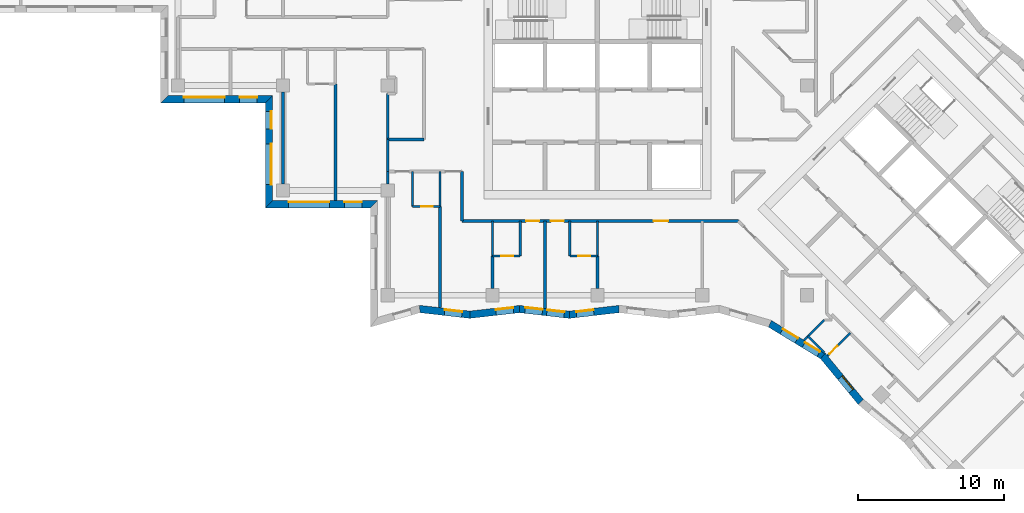
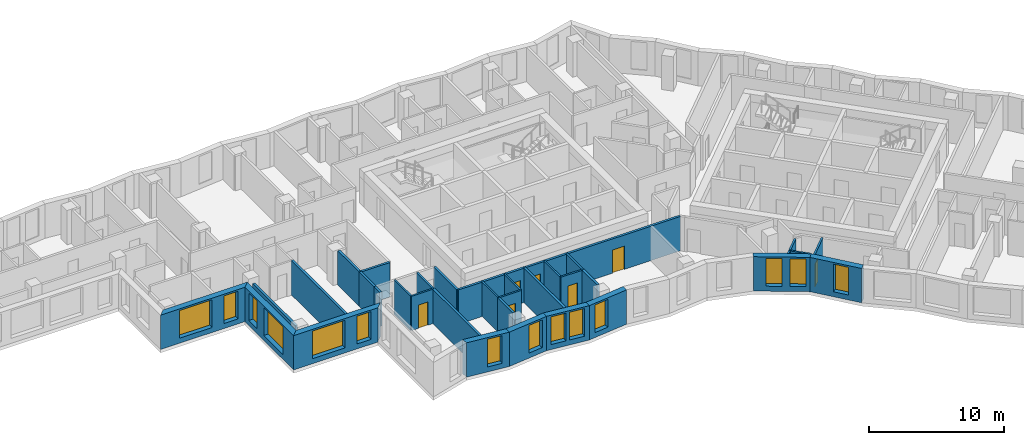
# One storey, part 2 of 12: 33 walls, 14 windows, 7 doors, 21 openings.
"""IFC4 building model written with IfcOpenShell, lengths in metres."""

from ifc_helpers import new_model, si_unit, direction, frame, frame_2d, origin, place, context, subcontext, project, spatial, polyline, rectangle, outline, extrude, material, layer, layer_set, type_object, element, fill, save


model = new_model("IFC4")

# Units and contexts
model_context = context("Model", 3, precision=1e-05, world=origin(), true_north=direction((0.0, 1.0)))
body_context = subcontext(model_context, "Body", "Model", "MODEL_VIEW")
ifc_project = project(units=[si_unit("LENGTHUNIT", "METRE"), si_unit("AREAUNIT", "SQUARE_METRE"), si_unit("VOLUMEUNIT", "CUBIC_METRE"), si_unit("PLANEANGLEUNIT", "RADIAN"), si_unit("MASSUNIT", "GRAM", prefix="KILO")], contexts=[model_context])

# Site, building, storey
site_placement = place(None, origin())
site = spatial("IfcSite", under=ifc_project, at=site_placement, CompositionType="ELEMENT")
building_placement = place(site_placement, origin())
building = spatial("IfcBuilding", under=site, at=building_placement, Name="Windrow Commons", CompositionType="ELEMENT")
storey_placement = place(building_placement, frame((0.0, 0.0, 145.6)))
storey = spatial("IfcBuildingStorey", under=building, at=storey_placement, Name="L39", CompositionType="ELEMENT", Elevation=145.6)

# Wall, openings, windows
ifc_material_1 = material(Name="Brick masonry, red clay brick", Category="masonry")
ifc_layer_1 = layer(ifc_material_1, 0.5)
ifc_layer_set_1 = layer_set([ifc_layer_1], Name="Brick facade wall 500")
wall_type_1 = type_object("IfcWallType", Name="Brick facade wall 500", PredefinedType="SOLIDWALL", material=ifc_layer_set_1)
wall_1_placement = place(storey_placement, frame((35.05, 56.65, 0.0), z_axis=(0.0, 0.0, 1.0), x_axis=(1.0, 0.0, 0.0)))
wall_1 = element("IfcWall", 1, at=wall_1_placement, inside=storey, type_object=wall_type_1, Name="Brick facade wall L39 38", PredefinedType="SOLIDWALL", context=body_context, shape_type="SweptSolid", body=[
    extrude(outline(polyline([(-0.25, -0.25), (6.95, -0.25), (7.45, 0.25), (0.25, 0.25), (-0.25, -0.25)])), origin(), (0.0, 0.0, 1.0), 3.1),
])
opening_1_placement = place(wall_1_placement, frame((1.35, 0.0, 0.45)))
opening_1 = element("IfcOpeningElement", 2, at=opening_1_placement, cuts=wall_1, Name="Opening W1U", PredefinedType="OPENING", context=body_context, shape_type="SweptSolid", body=[
    extrude(rectangle(XDim=2.8, YDim=2.5, at=frame_2d((1.4, 1.25))), frame((0.0, 0.26, 0.0), z_axis=(0.0, -1.0, 0.0), x_axis=(1.0, 0.0, 0.0)), (0.0, 0.0, 1.0), 0.52),
])
opening_2_placement = place(wall_1_placement, frame((5.175, 0.0, 0.45)))
opening_2 = element("IfcOpeningElement", 3, at=opening_2_placement, cuts=wall_1, Name="Opening W7E", PredefinedType="OPENING", context=body_context, shape_type="SweptSolid", body=[
    extrude(rectangle(XDim=1.2, YDim=2.5, at=frame_2d((0.6, 1.25))), frame((0.0, 0.26, 0.0), z_axis=(0.0, -1.0, 0.0), x_axis=(1.0, 0.0, 0.0)), (0.0, 0.0, 1.0), 0.52),
])
ifc_material_2 = material(Name="Clear float glass in anodised aluminium frame", Category="aluminium")
window_type_1 = type_object("IfcWindowType", Name="Window W1U bedroom 2800x2500", PartitioningType="SINGLE_PANEL", PredefinedType="WINDOW", material=ifc_material_2)
window_1_placement = place(opening_1_placement, origin())
window_1 = element("IfcWindow", 4, at=window_1_placement, inside=storey, type_object=window_type_1, Name="Window L39 38.1", OverallHeight=2.5, OverallWidth=2.8, PartitioningType="SINGLE_PANEL", PredefinedType="WINDOW", context=body_context, shape_type="SweptSolid", body=[
    extrude(rectangle(XDim=2.8, YDim=2.5, at=frame_2d((1.4, 1.25))), frame((0.0, 0.18, 0.0), z_axis=(0.0, -1.0, 0.0), x_axis=(1.0, 0.0, 0.0)), (0.0, 0.0, 1.0), 0.06),
])
fill(opening_1, window_1)
ifc_material_3 = material(Name="Clear float glass in anodised aluminium frame", Category="aluminium")
window_type_2 = type_object("IfcWindowType", Name="Window W7 notch 1200x2500", PartitioningType="SINGLE_PANEL", PredefinedType="WINDOW", material=ifc_material_3)
window_2_placement = place(opening_2_placement, origin())
window_2 = element("IfcWindow", 5, at=window_2_placement, inside=storey, type_object=window_type_2, Name="Window L39 38.2", OverallHeight=2.5, OverallWidth=1.2, PartitioningType="SINGLE_PANEL", PredefinedType="WINDOW", context=body_context, shape_type="SweptSolid", body=[
    extrude(rectangle(XDim=1.2, YDim=2.5, at=frame_2d((0.6, 1.25))), frame((0.0, 0.18, 0.0), z_axis=(0.0, -1.0, 0.0), x_axis=(1.0, 0.0, 0.0)), (0.0, 0.0, 1.0), 0.06),
])
fill(opening_2, window_2)

wall_2_placement = place(storey_placement, frame((42.25, 56.65, 0.0), z_axis=(0.0, 0.0, 1.0), x_axis=(0.0, -1.0, 0.0)))
wall_2 = element("IfcWall", 6, at=wall_2_placement, inside=storey, type_object=wall_type_1, Name="Brick facade wall L39 39", PredefinedType="SOLIDWALL", context=body_context, shape_type="SweptSolid", body=[
    extrude(outline(polyline([(0.25, -0.25), (7.45, -0.25), (6.95, 0.25), (-0.25, 0.25), (0.25, -0.25)])), origin(), (0.0, 0.0, 1.0), 3.1),
])
opening_3_placement = place(wall_2_placement, frame((3.05, 0.0, 0.45)))
opening_3 = element("IfcOpeningElement", 7, at=opening_3_placement, cuts=wall_2, Name="Opening W1U", PredefinedType="OPENING", context=body_context, shape_type="SweptSolid", body=[
    extrude(rectangle(XDim=2.8, YDim=2.5, at=frame_2d((1.4, 1.25))), frame((0.0, 0.26, 0.0), z_axis=(0.0, -1.0, 0.0), x_axis=(1.0, 0.0, 0.0)), (0.0, 0.0, 1.0), 0.52),
])
opening_4_placement = place(wall_2_placement, frame((0.825, 0.0, 0.45)))
opening_4 = element("IfcOpeningElement", 8, at=opening_4_placement, cuts=wall_2, Name="Opening W7E", PredefinedType="OPENING", context=body_context, shape_type="SweptSolid", body=[
    extrude(rectangle(XDim=1.2, YDim=2.5, at=frame_2d((0.6, 1.25))), frame((0.0, 0.26, 0.0), z_axis=(0.0, -1.0, 0.0), x_axis=(1.0, 0.0, 0.0)), (0.0, 0.0, 1.0), 0.52),
])
window_3_placement = place(opening_3_placement, origin())
window_3 = element("IfcWindow", 9, at=window_3_placement, inside=storey, type_object=window_type_1, Name="Window L39 39.1", OverallHeight=2.5, OverallWidth=2.8, PartitioningType="SINGLE_PANEL", PredefinedType="WINDOW", context=body_context, shape_type="SweptSolid", body=[
    extrude(rectangle(XDim=2.8, YDim=2.5, at=frame_2d((1.4, 1.25))), frame((0.0, 0.18, 0.0), z_axis=(0.0, -1.0, 0.0), x_axis=(1.0, 0.0, 0.0)), (0.0, 0.0, 1.0), 0.06),
])
fill(opening_3, window_3)
window_4_placement = place(opening_4_placement, origin())
window_4 = element("IfcWindow", 10, at=window_4_placement, inside=storey, type_object=window_type_2, Name="Window L39 39.2", OverallHeight=2.5, OverallWidth=1.2, PartitioningType="SINGLE_PANEL", PredefinedType="WINDOW", context=body_context, shape_type="SweptSolid", body=[
    extrude(rectangle(XDim=1.2, YDim=2.5, at=frame_2d((0.6, 1.25))), frame((0.0, 0.18, 0.0), z_axis=(0.0, -1.0, 0.0), x_axis=(1.0, 0.0, 0.0)), (0.0, 0.0, 1.0), 0.06),
])
fill(opening_4, window_4)

wall_3_placement = place(storey_placement, frame((42.25, 49.45, 0.0), z_axis=(0.0, 0.0, 1.0), x_axis=(1.0, 0.0, 0.0)))
wall_3 = element("IfcWall", 11, at=wall_3_placement, inside=storey, type_object=wall_type_1, Name="Brick facade wall L39 40", PredefinedType="SOLIDWALL", context=body_context, shape_type="SweptSolid", body=[
    extrude(outline(polyline([(-0.25, -0.25), (6.95, -0.25), (7.45, 0.25), (0.25, 0.25), (-0.25, -0.25)])), origin(), (0.0, 0.0, 1.0), 3.1),
])
opening_5_placement = place(wall_3_placement, frame((1.35, 0.0, 0.45)))
opening_5 = element("IfcOpeningElement", 12, at=opening_5_placement, cuts=wall_3, Name="Opening W1U", PredefinedType="OPENING", context=body_context, shape_type="SweptSolid", body=[
    extrude(rectangle(XDim=2.8, YDim=2.5, at=frame_2d((1.4, 1.25))), frame((0.0, 0.26, 0.0), z_axis=(0.0, -1.0, 0.0), x_axis=(1.0, 0.0, 0.0)), (0.0, 0.0, 1.0), 0.52),
])
opening_6_placement = place(wall_3_placement, frame((5.175, 0.0, 0.45)))
opening_6 = element("IfcOpeningElement", 13, at=opening_6_placement, cuts=wall_3, Name="Opening W7E", PredefinedType="OPENING", context=body_context, shape_type="SweptSolid", body=[
    extrude(rectangle(XDim=1.2, YDim=2.5, at=frame_2d((0.6, 1.25))), frame((0.0, 0.26, 0.0), z_axis=(0.0, -1.0, 0.0), x_axis=(1.0, 0.0, 0.0)), (0.0, 0.0, 1.0), 0.52),
])
window_5_placement = place(opening_5_placement, origin())
window_5 = element("IfcWindow", 14, at=window_5_placement, inside=storey, type_object=window_type_1, Name="Window L39 40.1", OverallHeight=2.5, OverallWidth=2.8, PartitioningType="SINGLE_PANEL", PredefinedType="WINDOW", context=body_context, shape_type="SweptSolid", body=[
    extrude(rectangle(XDim=2.8, YDim=2.5, at=frame_2d((1.4, 1.25))), frame((0.0, 0.18, 0.0), z_axis=(0.0, -1.0, 0.0), x_axis=(1.0, 0.0, 0.0)), (0.0, 0.0, 1.0), 0.06),
])
fill(opening_5, window_5)
window_6_placement = place(opening_6_placement, origin())
window_6 = element("IfcWindow", 15, at=window_6_placement, inside=storey, type_object=window_type_2, Name="Window L39 40.2", OverallHeight=2.5, OverallWidth=1.2, PartitioningType="SINGLE_PANEL", PredefinedType="WINDOW", context=body_context, shape_type="SweptSolid", body=[
    extrude(rectangle(XDim=1.2, YDim=2.5, at=frame_2d((0.6, 1.25))), frame((0.0, 0.18, 0.0), z_axis=(0.0, -1.0, 0.0), x_axis=(1.0, 0.0, 0.0)), (0.0, 0.0, 1.0), 0.06),
])
fill(opening_6, window_6)

# Wall, opening, window
wall_4_placement = place(storey_placement, frame((52.5967, 42.2541, 0.0), z_axis=(0.0, 0.0, 1.0), x_axis=(0.9935199118, -0.1136581927, 0.0)))
wall_4 = element("IfcWall", 16, at=wall_4_placement, inside=storey, type_object=wall_type_1, Name="Brick facade wall L39 43", PredefinedType="SOLIDWALL", context=body_context, shape_type="SweptSolid", body=[
    extrude(outline(polyline([(0.0502, -0.25), (3.4906, -0.25), (3.4334, 0.25), (-0.0502, 0.25), (0.0502, -0.25)])), origin(), (0.0, 0.0, 1.0), 3.1),
])
opening_7_placement = place(wall_4_placement, frame((1.7229, 0.0, 0.45)))
opening_7 = element("IfcOpeningElement", 17, at=opening_7_placement, cuts=wall_4, Name="Opening W7E", PredefinedType="OPENING", context=body_context, shape_type="SweptSolid", body=[
    extrude(rectangle(XDim=1.2, YDim=2.5, at=frame_2d((0.6, 1.25))), frame((0.0, 0.26, 0.0), z_axis=(0.0, -1.0, 0.0), x_axis=(1.0, 0.0, 0.0)), (0.0, 0.0, 1.0), 0.52),
])
window_7_placement = place(opening_7_placement, origin())
window_7 = element("IfcWindow", 18, at=window_7_placement, inside=storey, type_object=window_type_2, Name="Window L39 43.1", OverallHeight=2.5, OverallWidth=1.2, PartitioningType="SINGLE_PANEL", PredefinedType="WINDOW", context=body_context, shape_type="SweptSolid", body=[
    extrude(rectangle(XDim=1.2, YDim=2.5, at=frame_2d((0.6, 1.25))), frame((0.0, 0.18, 0.0), z_axis=(0.0, -1.0, 0.0), x_axis=(1.0, 0.0, 0.0)), (0.0, 0.0, 1.0), 0.06),
])
fill(opening_7, window_7)

wall_5_placement = place(storey_placement, frame((56.0364, 41.8606, 0.0), z_axis=(0.0, 0.0, 1.0), x_axis=(0.9935208627, 0.1136498807, 0.0)))
wall_5 = element("IfcWall", 19, at=wall_5_placement, inside=storey, type_object=wall_type_1, Name="Brick facade wall L39 44", PredefinedType="SOLIDWALL", context=body_context, shape_type="SweptSolid", body=[
    extrude(outline(polyline([(-0.0286, -0.25), (3.4119, -0.25), (3.4691, 0.25), (0.0286, 0.25), (-0.0286, -0.25)])), origin(), (0.0, 0.0, 1.0), 3.1),
])
opening_8_placement = place(wall_5_placement, frame((1.8072, 0.0, 0.45)))
opening_8 = element("IfcOpeningElement", 20, at=opening_8_placement, cuts=wall_5, Name="Opening W7E", PredefinedType="OPENING", context=body_context, shape_type="SweptSolid", body=[
    extrude(rectangle(XDim=1.2, YDim=2.5, at=frame_2d((0.6, 1.25))), frame((0.0, 0.26, 0.0), z_axis=(0.0, -1.0, 0.0), x_axis=(1.0, 0.0, 0.0)), (0.0, 0.0, 1.0), 0.52),
])
window_8_placement = place(opening_8_placement, origin())
window_8 = element("IfcWindow", 21, at=window_8_placement, inside=storey, type_object=window_type_2, Name="Window L39 44.1", OverallHeight=2.5, OverallWidth=1.2, PartitioningType="SINGLE_PANEL", PredefinedType="WINDOW", context=body_context, shape_type="SweptSolid", body=[
    extrude(rectangle(XDim=1.2, YDim=2.5, at=frame_2d((0.6, 1.25))), frame((0.0, 0.18, 0.0), z_axis=(0.0, -1.0, 0.0), x_axis=(1.0, 0.0, 0.0)), (0.0, 0.0, 1.0), 0.06),
])
fill(opening_8, window_8)

# Wall, openings, windows
wall_6_placement = place(storey_placement, frame((59.4545, 42.2516, 0.0), z_axis=(0.0, 0.0, 1.0), x_axis=(0.9935212381, -0.1136465988, 0.0)))
wall_6 = element("IfcWall", 22, at=wall_6_placement, inside=storey, type_object=wall_type_1, Name="Brick facade wall L39 45", PredefinedType="SOLIDWALL", context=body_context, shape_type="SweptSolid", body=[
    extrude(outline(polyline([(0.0286, -0.25), (3.4691, -0.25), (3.4119, 0.25), (-0.0286, 0.25), (0.0286, -0.25)])), origin(), (0.0, 0.0, 1.0), 3.1),
])
opening_9_placement = place(wall_6_placement, frame((0.3784, 0.0, 0.45)))
opening_9 = element("IfcOpeningElement", 23, at=opening_9_placement, cuts=wall_6, Name="Opening W7E", PredefinedType="OPENING", context=body_context, shape_type="SweptSolid", body=[
    extrude(rectangle(XDim=1.2, YDim=2.5, at=frame_2d((0.6, 1.25))), frame((0.0, 0.26, 0.0), z_axis=(0.0, -1.0, 0.0), x_axis=(1.0, 0.0, 0.0)), (0.0, 0.0, 1.0), 0.52),
])
opening_10_placement = place(wall_6_placement, frame((1.8844, 0.0, 0.45)))
opening_10 = element("IfcOpeningElement", 24, at=opening_10_placement, cuts=wall_6, Name="Opening W7E", PredefinedType="OPENING", context=body_context, shape_type="SweptSolid", body=[
    extrude(rectangle(XDim=1.2, YDim=2.5, at=frame_2d((0.6, 1.25))), frame((0.0, 0.26, 0.0), z_axis=(0.0, -1.0, 0.0), x_axis=(1.0, 0.0, 0.0)), (0.0, 0.0, 1.0), 0.52),
])
window_9_placement = place(opening_9_placement, origin())
window_9 = element("IfcWindow", 25, at=window_9_placement, inside=storey, type_object=window_type_2, Name="Window L39 45.1", OverallHeight=2.5, OverallWidth=1.2, PartitioningType="SINGLE_PANEL", PredefinedType="WINDOW", context=body_context, shape_type="SweptSolid", body=[
    extrude(rectangle(XDim=1.2, YDim=2.5, at=frame_2d((0.6, 1.25))), frame((0.0, 0.18, 0.0), z_axis=(0.0, -1.0, 0.0), x_axis=(1.0, 0.0, 0.0)), (0.0, 0.0, 1.0), 0.06),
])
fill(opening_9, window_9)
window_10_placement = place(opening_10_placement, origin())
window_10 = element("IfcWindow", 26, at=window_10_placement, inside=storey, type_object=window_type_2, Name="Window L39 45.2", OverallHeight=2.5, OverallWidth=1.2, PartitioningType="SINGLE_PANEL", PredefinedType="WINDOW", context=body_context, shape_type="SweptSolid", body=[
    extrude(rectangle(XDim=1.2, YDim=2.5, at=frame_2d((0.6, 1.25))), frame((0.0, 0.18, 0.0), z_axis=(0.0, -1.0, 0.0), x_axis=(1.0, 0.0, 0.0)), (0.0, 0.0, 1.0), 0.06),
])
fill(opening_10, window_10)

# Wall, opening, window
wall_7_placement = place(storey_placement, frame((62.8727, 41.8606, 0.0), z_axis=(0.0, 0.0, 1.0), x_axis=(0.9935212381, 0.1136465988, 0.0)))
wall_7 = element("IfcWall", 27, at=wall_7_placement, inside=storey, type_object=wall_type_1, Name="Brick facade wall L39 46", PredefinedType="SOLIDWALL", context=body_context, shape_type="SweptSolid", body=[
    extrude(outline(polyline([(-0.0286, -0.25), (3.4119, -0.25), (3.4691, 0.25), (0.0286, 0.25), (-0.0286, -0.25)])), origin(), (0.0, 0.0, 1.0), 3.1),
])
opening_11_placement = place(wall_7_placement, frame((0.4842, 0.0, 0.45)))
opening_11 = element("IfcOpeningElement", 28, at=opening_11_placement, cuts=wall_7, Name="Opening W7E", PredefinedType="OPENING", context=body_context, shape_type="SweptSolid", body=[
    extrude(rectangle(XDim=1.2, YDim=2.5, at=frame_2d((0.6, 1.25))), frame((0.0, 0.26, 0.0), z_axis=(0.0, -1.0, 0.0), x_axis=(1.0, 0.0, 0.0)), (0.0, 0.0, 1.0), 0.52),
])
window_11_placement = place(opening_11_placement, origin())
window_11 = element("IfcWindow", 29, at=window_11_placement, inside=storey, type_object=window_type_2, Name="Window L39 46.1", OverallHeight=2.5, OverallWidth=1.2, PartitioningType="SINGLE_PANEL", PredefinedType="WINDOW", context=body_context, shape_type="SweptSolid", body=[
    extrude(rectangle(XDim=1.2, YDim=2.5, at=frame_2d((0.6, 1.25))), frame((0.0, 0.18, 0.0), z_axis=(0.0, -1.0, 0.0), x_axis=(1.0, 0.0, 0.0)), (0.0, 0.0, 1.0), 0.06),
])
fill(opening_11, window_11)

# Wall, openings, windows
wall_8_placement = place(storey_placement, frame((76.6469, 41.2399, 0.0), z_axis=(0.0, 0.0, 1.0), x_axis=(0.8545971976, -0.5192914691, 0.0)))
wall_8 = element("IfcWall", 30, at=wall_8_placement, inside=storey, type_object=wall_type_1, Name="Brick facade wall L39 50", PredefinedType="SOLIDWALL", context=body_context, shape_type="SweptSolid", body=[
    extrude(outline(polyline([(0.0332, -0.25), (4.2129, -0.25), (4.2975, 0.25), (-0.0332, 0.25), (0.0332, -0.25)])), origin(), (0.0, 0.0, 1.0), 3.1),
])
opening_12_placement = place(wall_8_placement, frame((0.9516, 0.0, 0.45)))
opening_12 = element("IfcOpeningElement", 31, at=opening_12_placement, cuts=wall_8, Name="Opening W7E", PredefinedType="OPENING", context=body_context, shape_type="SweptSolid", body=[
    extrude(rectangle(XDim=1.2, YDim=2.5, at=frame_2d((0.6, 1.25))), frame((0.0, 0.26, 0.0), z_axis=(0.0, -1.0, 0.0), x_axis=(1.0, 0.0, 0.0)), (0.0, 0.0, 1.0), 0.52),
])
opening_13_placement = place(wall_8_placement, frame((2.7292, 0.0, 0.45)))
opening_13 = element("IfcOpeningElement", 32, at=opening_13_placement, cuts=wall_8, Name="Opening W7E", PredefinedType="OPENING", context=body_context, shape_type="SweptSolid", body=[
    extrude(rectangle(XDim=1.2, YDim=2.5, at=frame_2d((0.6, 1.25))), frame((0.0, 0.26, 0.0), z_axis=(0.0, -1.0, 0.0), x_axis=(1.0, 0.0, 0.0)), (0.0, 0.0, 1.0), 0.52),
])
window_12_placement = place(opening_12_placement, origin())
window_12 = element("IfcWindow", 33, at=window_12_placement, inside=storey, type_object=window_type_2, Name="Window L39 50.1", OverallHeight=2.5, OverallWidth=1.2, PartitioningType="SINGLE_PANEL", PredefinedType="WINDOW", context=body_context, shape_type="SweptSolid", body=[
    extrude(rectangle(XDim=1.2, YDim=2.5, at=frame_2d((0.6, 1.25))), frame((0.0, 0.18, 0.0), z_axis=(0.0, -1.0, 0.0), x_axis=(1.0, 0.0, 0.0)), (0.0, 0.0, 1.0), 0.06),
])
fill(opening_12, window_12)
window_13_placement = place(opening_13_placement, origin())
window_13 = element("IfcWindow", 34, at=window_13_placement, inside=storey, type_object=window_type_2, Name="Window L39 50.2", OverallHeight=2.5, OverallWidth=1.2, PartitioningType="SINGLE_PANEL", PredefinedType="WINDOW", context=body_context, shape_type="SweptSolid", body=[
    extrude(rectangle(XDim=1.2, YDim=2.5, at=frame_2d((0.6, 1.25))), frame((0.0, 0.18, 0.0), z_axis=(0.0, -1.0, 0.0), x_axis=(1.0, 0.0, 0.0)), (0.0, 0.0, 1.0), 0.06),
])
fill(opening_13, window_13)

# Wall, opening, window
wall_9_placement = place(storey_placement, frame((80.2834, 39.0302, 0.0), z_axis=(0.0, 0.0, 1.0), x_axis=(0.6360656097, -0.7716349786, 0.0)))
wall_9 = element("IfcWall", 35, at=wall_9_placement, inside=storey, type_object=wall_type_1, Name="Brick facade wall L39 51", PredefinedType="SOLIDWALL", context=body_context, shape_type="SweptSolid", body=[
    extrude(outline(polyline([(0.0423, -0.25), (4.1216, -0.25), (4.0735, 0.25), (-0.0423, 0.25), (0.0423, -0.25)])), origin(), (0.0, 0.0, 1.0), 3.1),
])
opening_14_placement = place(wall_9_placement, frame((1.8997, 0.0, 0.45)))
opening_14 = element("IfcOpeningElement", 36, at=opening_14_placement, cuts=wall_9, Name="Opening W7E", PredefinedType="OPENING", context=body_context, shape_type="SweptSolid", body=[
    extrude(rectangle(XDim=1.2, YDim=2.5, at=frame_2d((0.6, 1.25))), frame((0.0, 0.26, 0.0), z_axis=(0.0, -1.0, 0.0), x_axis=(1.0, 0.0, 0.0)), (0.0, 0.0, 1.0), 0.52),
])
window_14_placement = place(opening_14_placement, origin())
window_14 = element("IfcWindow", 37, at=window_14_placement, inside=storey, type_object=window_type_2, Name="Window L39 51.1", OverallHeight=2.5, OverallWidth=1.2, PartitioningType="SINGLE_PANEL", PredefinedType="WINDOW", context=body_context, shape_type="SweptSolid", body=[
    extrude(rectangle(XDim=1.2, YDim=2.5, at=frame_2d((0.6, 1.25))), frame((0.0, 0.18, 0.0), z_axis=(0.0, -1.0, 0.0), x_axis=(1.0, 0.0, 0.0)), (0.0, 0.0, 1.0), 0.06),
])
fill(opening_14, window_14)

# Wall, openings, doors
ifc_material_4 = material(Name="Blockwork partition", Category="masonry")
ifc_layer_2 = layer(ifc_material_4, 0.2)
ifc_layer_set_2 = layer_set([ifc_layer_2], Name="IW-CORRIDOR-200")
wall_type_2 = type_object("IfcWallType", Name="IW-CORRIDOR-200", PredefinedType="PARTITIONING", material=ifc_layer_set_2)
wall_10_placement = place(storey_placement, frame((55.5, 48.3, 0.0), z_axis=(0.0, 0.0, 1.0), x_axis=(1.0, 0.0, 0.0)))
wall_10 = element("IfcWall", 38, at=wall_10_placement, inside=storey, type_object=wall_type_2, Name="W-L39-W001", PredefinedType="PARTITIONING", context=body_context, shape_type="SweptSolid", body=[
    extrude(rectangle(XDim=18.974, YDim=0.2, at=frame_2d((9.487, 0.0))), origin(), (0.0, 0.0, 1.0), 3.1),
])
opening_15_placement = place(wall_10_placement, frame((4.4, 0.0, 0.0)))
opening_15 = element("IfcOpeningElement", 39, at=opening_15_placement, cuts=wall_10, Name="Opening D109S", PredefinedType="OPENING", context=body_context, shape_type="SweptSolid", body=[
    extrude(rectangle(XDim=0.9, YDim=2.1, at=frame_2d((0.45, 1.05))), frame((0.0, 0.11, 0.0), z_axis=(0.0, -1.0, 0.0), x_axis=(1.0, 0.0, 0.0)), (0.0, 0.0, 1.0), 0.22),
])
opening_16_placement = place(wall_10_placement, frame((6.1, 0.0, 0.0)))
opening_16 = element("IfcOpeningElement", 40, at=opening_16_placement, cuts=wall_10, Name="Opening D109S", PredefinedType="OPENING", context=body_context, shape_type="SweptSolid", body=[
    extrude(rectangle(XDim=0.9, YDim=2.1, at=frame_2d((0.45, 1.05))), frame((0.0, 0.11, 0.0), z_axis=(0.0, -1.0, 0.0), x_axis=(1.0, 0.0, 0.0)), (0.0, 0.0, 1.0), 0.22),
])
opening_17_placement = place(wall_10_placement, frame((13.1625, 0.0, 0.0)))
opening_17 = element("IfcOpeningElement", 41, at=opening_17_placement, cuts=wall_10, Name="Opening D310F", PredefinedType="OPENING", context=body_context, shape_type="SweptSolid", body=[
    extrude(rectangle(XDim=1.0, YDim=2.1, at=frame_2d((0.5, 1.05))), frame((0.0, 0.11, 0.0), z_axis=(0.0, -1.0, 0.0), x_axis=(1.0, 0.0, 0.0)), (0.0, 0.0, 1.0), 0.22),
])
ifc_material_5 = material(Name="Timber door leaf", Category="wood")
door_type_1 = type_object("IfcDoorType", Name="DT-AMENITY-1000", OperationType="SINGLE_SWING_LEFT", PredefinedType="DOOR", material=ifc_material_5)
door_1_placement = place(opening_17_placement, origin())
door_1 = element("IfcDoor", 42, at=door_1_placement, inside=storey, type_object=door_type_1, Name="D-L39-D037", OperationType="SINGLE_SWING_LEFT", OverallHeight=2.1, OverallWidth=1.0, PredefinedType="DOOR", context=body_context, shape_type="SweptSolid", body=[
    extrude(rectangle(XDim=1.0, YDim=2.1, at=frame_2d((0.5, 1.05))), frame((0.0, 0.025, 0.0), z_axis=(0.0, -1.0, 0.0), x_axis=(1.0, 0.0, 0.0)), (0.0, 0.0, 1.0), 0.05),
])
fill(opening_17, door_1)
ifc_material_6 = material(Name="Timber door leaf", Category="wood")
door_type_2 = type_object("IfcDoorType", Name="DT-BEDROOM-900", OperationType="SINGLE_SWING_LEFT", PredefinedType="DOOR", material=ifc_material_6)
door_2_placement = place(opening_15_placement, origin())
door_2 = element("IfcDoor", 43, at=door_2_placement, inside=storey, type_object=door_type_2, Name="D-L39-D033", OperationType="SINGLE_SWING_LEFT", OverallHeight=2.1, OverallWidth=0.9, PredefinedType="DOOR", context=body_context, shape_type="SweptSolid", body=[
    extrude(rectangle(XDim=0.9, YDim=2.1, at=frame_2d((0.45, 1.05))), frame((0.0, 0.025, 0.0), z_axis=(0.0, -1.0, 0.0), x_axis=(1.0, 0.0, 0.0)), (0.0, 0.0, 1.0), 0.05),
])
fill(opening_15, door_2)
door_3_placement = place(opening_16_placement, origin())
door_3 = element("IfcDoor", 44, at=door_3_placement, inside=storey, type_object=door_type_2, Name="D-L39-D035", OperationType="SINGLE_SWING_RIGHT", OverallHeight=2.1, OverallWidth=0.9, PredefinedType="DOOR", context=body_context, shape_type="SweptSolid", body=[
    extrude(rectangle(XDim=0.9, YDim=2.1, at=frame_2d((0.45, 1.05))), frame((0.0, 0.025, 0.0), z_axis=(0.0, -1.0, 0.0), x_axis=(1.0, 0.0, 0.0)), (0.0, 0.0, 1.0), 0.05),
])
fill(opening_16, door_3)

# Walls
wall_11_placement = place(storey_placement, frame((55.5, 48.3, 0.0), z_axis=(0.0, 0.0, 1.0), x_axis=(0.0, 1.0, 0.0)))
element("IfcWall", 45, at=wall_11_placement, inside=storey, type_object=wall_type_2, Name="W-L39-W049", PredefinedType="PARTITIONING", context=body_context, shape_type="SweptSolid", body=[
    extrude(rectangle(XDim=3.4, YDim=0.2, at=frame_2d((1.7, 0.0))), origin(), (0.0, 0.0, 1.0), 3.1),
])
wall_12_placement = place(storey_placement, frame((50.4, 53.9, 0.0), z_axis=(0.0, 0.0, 1.0), x_axis=(1.0, 0.0, 0.0)))
element("IfcWall", 46, at=wall_12_placement, inside=storey, type_object=wall_type_2, Name="W-L39-W063", PredefinedType="PARTITIONING", context=body_context, shape_type="SweptSolid", body=[
    extrude(rectangle(XDim=2.5, YDim=0.2, at=frame_2d((1.25, 0.0))), origin(), (0.0, 0.0, 1.0), 3.1),
])
wall_13_placement = place(storey_placement, frame((50.4, 51.7, 0.0), z_axis=(0.0, 0.0, 1.0), x_axis=(0.0, 1.0, 0.0)))
element("IfcWall", 47, at=wall_13_placement, inside=storey, type_object=wall_type_2, Name="W-L39-W109", PredefinedType="PARTITIONING", context=body_context, shape_type="SweptSolid", body=[
    extrude(rectangle(XDim=2.2, YDim=0.2, at=frame_2d((1.1, 0.0))), origin(), (0.0, 0.0, 1.0), 3.1),
])
ifc_material_7 = material(Name="Blockwork partition", Category="masonry")
ifc_layer_3 = layer(ifc_material_7, 0.15)
ifc_layer_set_3 = layer_set([ifc_layer_3], Name="IW-ENSUITE-150")
wall_type_3 = type_object("IfcWallType", Name="IW-ENSUITE-150", PredefinedType="PARTITIONING", material=ifc_layer_set_3)
for number, where, z_axis, x_axis, name in (
    (48, (52.1, 49.3, 0.0), (0.0, 0.0, 1.0), (0.0, 1.0, 0.0), "W-L39-W075"),
    (49, (54.0, 49.3, 0.0), (0.0, 0.0, 1.0), (0.0, 1.0, 0.0), "W-L39-W077"),
    (50, (59.5, 45.9, 0.0), (0.0, 0.0, 1.0), (0.0, 1.0, 0.0), "W-L39-W083"),
    (51, (57.6, 45.9, 0.0), (0.0, 0.0, 1.0), (0.0, 1.0, 0.0), "W-L39-W084"),
    (52, (62.9, 45.9, 0.0), (0.0, 0.0, 1.0), (0.0, 1.0, 0.0), "W-L39-W085"),
    (53, (64.8, 45.9, 0.0), (0.0, 0.0, 1.0), (0.0, 1.0, 0.0), "W-L39-W086"),
):
    element("IfcWall", number, at=place(storey_placement, frame(where, z_axis=z_axis, x_axis=x_axis)), inside=storey, type_object=wall_type_3, Name=name, PredefinedType="PARTITIONING", context=body_context, shape_type="SweptSolid", body=[
        extrude(rectangle(XDim=2.4, YDim=0.15, at=frame_2d((1.2, 0.0))), origin(), (0.0, 0.0, 1.0), 3.1),
    ])

# Wall, opening, door
wall_14_placement = place(storey_placement, frame((80.6013, 39.0376, 0.0), z_axis=(0.0, 0.0, 1.0), x_axis=(0.7071293353, 0.7070842263, 0.0)))
wall_14 = element("IfcWall", 54, at=wall_14_placement, inside=storey, type_object=wall_type_3, Name="W-L39-W113", PredefinedType="PARTITIONING", context=body_context, shape_type="SweptSolid", body=[
    extrude(rectangle(XDim=2.2169, YDim=0.15, at=frame_2d((1.1084, 0.0))), origin(), (0.0, 0.0, 1.0), 3.1),
])
opening_18_placement = place(wall_14_placement, frame((0.18, 0.0, 0.0)))
opening_18 = element("IfcOpeningElement", 55, at=opening_18_placement, cuts=wall_14, Name="Opening D208N", PredefinedType="OPENING", context=body_context, shape_type="SweptSolid", body=[
    extrude(rectangle(XDim=0.8, YDim=2.1, at=frame_2d((0.4, 1.05))), frame((0.0, 0.085, 0.0), z_axis=(0.0, -1.0, 0.0), x_axis=(1.0, 0.0, 0.0)), (0.0, 0.0, 1.0), 0.17),
])
ifc_material_8 = material(Name="Timber door leaf", Category="wood")
door_type_3 = type_object("IfcDoorType", Name="DT-ENSUITE-800", OperationType="SINGLE_SWING_LEFT", PredefinedType="DOOR", material=ifc_material_8)
door_4_placement = place(opening_18_placement, origin())
door_4 = element("IfcDoor", 56, at=door_4_placement, inside=storey, type_object=door_type_3, Name="D-L39-D047", OperationType="SINGLE_SWING_RIGHT", OverallHeight=2.1, OverallWidth=0.8, PredefinedType="DOOR", context=body_context, shape_type="SweptSolid", body=[
    extrude(rectangle(XDim=0.8, YDim=2.1, at=frame_2d((0.4, 1.05))), frame((0.0, 0.025, 0.0), z_axis=(0.0, -1.0, 0.0), x_axis=(1.0, 0.0, 0.0)), (0.0, 0.0, 1.0), 0.05),
])
fill(opening_18, door_4)

# Wall
wall_15_placement = place(storey_placement, frame((78.9871, 40.1104, 0.0), z_axis=(0.0, 0.0, 1.0), x_axis=(0.7071322117, 0.7070813498, 0.0)))
element("IfcWall", 57, at=wall_15_placement, inside=storey, type_object=wall_type_3, Name="W-L39-W122", PredefinedType="PARTITIONING", context=body_context, shape_type="SweptSolid", body=[
    extrude(rectangle(XDim=1.9661, YDim=0.15, at=frame_2d((0.983, 0.0))), origin(), (0.0, 0.0, 1.0), 3.1),
])

# Wall, opening, door
wall_16_placement = place(storey_placement, frame((52.1, 49.3, 0.0), z_axis=(0.0, 0.0, 1.0), x_axis=(1.0, 0.0, 0.0)))
wall_16 = element("IfcWall", 58, at=wall_16_placement, inside=storey, type_object=wall_type_3, Name="W-L39-W128", PredefinedType="PARTITIONING", context=body_context, shape_type="SweptSolid", body=[
    extrude(rectangle(XDim=1.9, YDim=0.15, at=frame_2d((0.95, 0.0))), origin(), (0.0, 0.0, 1.0), 3.1),
])
opening_19_placement = place(wall_16_placement, frame((0.5979, 0.0, 0.0)))
opening_19 = element("IfcOpeningElement", 59, at=opening_19_placement, cuts=wall_16, Name="Opening D208N", PredefinedType="OPENING", context=body_context, shape_type="SweptSolid", body=[
    extrude(rectangle(XDim=0.8, YDim=2.1, at=frame_2d((0.4, 1.05))), frame((0.0, 0.085, 0.0), z_axis=(0.0, -1.0, 0.0), x_axis=(1.0, 0.0, 0.0)), (0.0, 0.0, 1.0), 0.17),
])
door_5_placement = place(opening_19_placement, origin())
door_5 = element("IfcDoor", 60, at=door_5_placement, inside=storey, type_object=door_type_3, Name="D-L39-D031", OperationType="SINGLE_SWING_RIGHT", OverallHeight=2.1, OverallWidth=0.8, PredefinedType="DOOR", context=body_context, shape_type="SweptSolid", body=[
    extrude(rectangle(XDim=0.8, YDim=2.1, at=frame_2d((0.4, 1.05))), frame((0.0, 0.025, 0.0), z_axis=(0.0, -1.0, 0.0), x_axis=(1.0, 0.0, 0.0)), (0.0, 0.0, 1.0), 0.05),
])
fill(opening_19, door_5)

wall_17_placement = place(storey_placement, frame((57.6, 45.9, 0.0), z_axis=(0.0, 0.0, 1.0), x_axis=(1.0, 0.0, 0.0)))
wall_17 = element("IfcWall", 61, at=wall_17_placement, inside=storey, type_object=wall_type_3, Name="W-L39-W130", PredefinedType="PARTITIONING", context=body_context, shape_type="SweptSolid", body=[
    extrude(rectangle(XDim=1.9, YDim=0.15, at=frame_2d((0.95, 0.0))), origin(), (0.0, 0.0, 1.0), 3.1),
])
opening_20_placement = place(wall_17_placement, frame((0.6069, 0.0, 0.0)))
opening_20 = element("IfcOpeningElement", 62, at=opening_20_placement, cuts=wall_17, Name="Opening D208N", PredefinedType="OPENING", context=body_context, shape_type="SweptSolid", body=[
    extrude(rectangle(XDim=0.8, YDim=2.1, at=frame_2d((0.4, 1.05))), frame((0.0, 0.085, 0.0), z_axis=(0.0, -1.0, 0.0), x_axis=(1.0, 0.0, 0.0)), (0.0, 0.0, 1.0), 0.17),
])
door_6_placement = place(opening_20_placement, origin())
door_6 = element("IfcDoor", 63, at=door_6_placement, inside=storey, type_object=door_type_3, Name="D-L39-D034", OperationType="SINGLE_SWING_RIGHT", OverallHeight=2.1, OverallWidth=0.8, PredefinedType="DOOR", context=body_context, shape_type="SweptSolid", body=[
    extrude(rectangle(XDim=0.8, YDim=2.1, at=frame_2d((0.4, 1.05))), frame((0.0, 0.025, 0.0), z_axis=(0.0, -1.0, 0.0), x_axis=(1.0, 0.0, 0.0)), (0.0, 0.0, 1.0), 0.05),
])
fill(opening_20, door_6)

wall_18_placement = place(storey_placement, frame((62.9, 45.9, 0.0), z_axis=(0.0, 0.0, 1.0), x_axis=(1.0, 0.0, 0.0)))
wall_18 = element("IfcWall", 64, at=wall_18_placement, inside=storey, type_object=wall_type_3, Name="W-L39-W131", PredefinedType="PARTITIONING", context=body_context, shape_type="SweptSolid", body=[
    extrude(rectangle(XDim=1.9, YDim=0.15, at=frame_2d((0.95, 0.0))), origin(), (0.0, 0.0, 1.0), 3.1),
])
opening_21_placement = place(wall_18_placement, frame((0.5979, 0.0, 0.0)))
opening_21 = element("IfcOpeningElement", 65, at=opening_21_placement, cuts=wall_18, Name="Opening D208N", PredefinedType="OPENING", context=body_context, shape_type="SweptSolid", body=[
    extrude(rectangle(XDim=0.8, YDim=2.1, at=frame_2d((0.4, 1.05))), frame((0.0, 0.085, 0.0), z_axis=(0.0, -1.0, 0.0), x_axis=(1.0, 0.0, 0.0)), (0.0, 0.0, 1.0), 0.17),
])
door_7_placement = place(opening_21_placement, origin())
door_7 = element("IfcDoor", 66, at=door_7_placement, inside=storey, type_object=door_type_3, Name="D-L39-D036", OperationType="SINGLE_SWING_RIGHT", OverallHeight=2.1, OverallWidth=0.8, PredefinedType="DOOR", context=body_context, shape_type="SweptSolid", body=[
    extrude(rectangle(XDim=0.8, YDim=2.1, at=frame_2d((0.4, 1.05))), frame((0.0, 0.025, 0.0), z_axis=(0.0, -1.0, 0.0), x_axis=(1.0, 0.0, 0.0)), (0.0, 0.0, 1.0), 0.05),
])
fill(opening_21, door_7)

# Walls
wall_19_placement = place(storey_placement, frame((79.2673, 40.3893, 0.0), z_axis=(0.0, 0.0, 1.0), x_axis=(0.7071386479, -0.707074913, 0.0)))
element("IfcWall", 67, at=wall_19_placement, inside=storey, type_object=wall_type_3, Name="W-L39-W142", PredefinedType="PARTITIONING", context=body_context, shape_type="SweptSolid", body=[
    extrude(rectangle(XDim=1.569, YDim=0.15, at=frame_2d((0.7845, 0.0))), origin(), (0.0, 0.0, 1.0), 3.1),
])
ifc_material_9 = material(Name="Blockwork partition", Category="masonry")
ifc_layer_4 = layer(ifc_material_9, 0.2)
ifc_layer_set_4 = layer_set([ifc_layer_4], Name="IW-PARTY-200")
wall_type_4 = type_object("IfcWallType", Name="IW-PARTY-200", PredefinedType="PARTITIONING", material=ifc_layer_set_4)
wall_20_placement = place(storey_placement, frame((46.8, 49.7, 0.0), z_axis=(0.0, 0.0, 1.0), x_axis=(0.0, 1.0, 0.0)))
element("IfcWall", 68, at=wall_20_placement, inside=storey, type_object=wall_type_4, Name="W-L39-W015", PredefinedType="PARTITIONING", context=body_context, shape_type="SweptSolid", body=[
    extrude(rectangle(XDim=8.0, YDim=0.2, at=frame_2d((4.0, 0.0))), origin(), (0.0, 0.0, 1.0), 3.1),
])
wall_21_placement = place(storey_placement, frame((54.0, 42.3452, 0.0), z_axis=(0.0, 0.0, 1.0), x_axis=(0.0, 1.0, 0.0)))
element("IfcWall", 69, at=wall_21_placement, inside=storey, type_object=wall_type_4, Name="W-L39-W016", PredefinedType="PARTITIONING", context=body_context, shape_type="SweptSolid", body=[
    extrude(rectangle(XDim=6.9548, YDim=0.2, at=frame_2d((3.4774, 0.0))), origin(), (0.0, 0.0, 1.0), 3.1),
])
wall_22_placement = place(storey_placement, frame((43.2, 50.85, 0.0), z_axis=(0.0, 0.0, 1.0), x_axis=(0.0, 1.0, 0.0)))
element("IfcWall", 70, at=wall_22_placement, inside=storey, type_object=wall_type_4, Name="W-L39-W023", PredefinedType="PARTITIONING", context=body_context, shape_type="SweptSolid", body=[
    extrude(rectangle(XDim=6.3, YDim=0.2, at=frame_2d((3.15, 0.0))), origin(), (0.0, 0.0, 1.0), 2.6),
])
wall_23_placement = place(storey_placement, frame((61.2, 42.3036, 0.0), z_axis=(0.0, 0.0, 1.0), x_axis=(0.0, 1.0, 0.0)))
element("IfcWall", 71, at=wall_23_placement, inside=storey, type_object=wall_type_4, Name="W-L39-W028", PredefinedType="PARTITIONING", context=body_context, shape_type="SweptSolid", body=[
    extrude(rectangle(XDim=5.9964, YDim=0.2, at=frame_2d((2.9982, 0.0))), origin(), (0.0, 0.0, 1.0), 3.1),
])
wall_24_placement = place(storey_placement, frame((50.4, 53.9, 0.0), z_axis=(0.0, 0.0, 1.0), x_axis=(0.0, 1.0, 0.0)))
element("IfcWall", 72, at=wall_24_placement, inside=storey, type_object=wall_type_4, Name="W-L39-W055", PredefinedType="PARTITIONING", context=body_context, shape_type="SweptSolid", body=[
    extrude(rectangle(XDim=3.144, YDim=0.2, at=frame_2d((1.572, 0.0))), origin(), (0.0, 0.0, 1.0), 3.1),
])
for number, where, z_axis, x_axis, name in (
    (73, (57.6, 43.65, 0.0), (0.0, 0.0, 1.0), (0.0, 1.0, 0.0), "W-L39-W101"),
    (74, (64.8, 43.65, 0.0), (0.0, 0.0, 1.0), (0.0, 1.0, 0.0), "W-L39-W102"),
):
    element("IfcWall", number, at=place(storey_placement, frame(where, z_axis=z_axis, x_axis=x_axis)), inside=storey, type_object=wall_type_4, Name=name, PredefinedType="PARTITIONING", context=body_context, shape_type="SweptSolid", body=[
        extrude(rectangle(XDim=2.25, YDim=0.2, at=frame_2d((1.125, 0.0))), origin(), (0.0, 0.0, 1.0), 3.1),
    ])
wall_25_placement = place(storey_placement, frame((50.4, 50.85, 0.0), z_axis=(0.0, 0.0, 1.0), x_axis=(0.0, 1.0, 0.0)))
element("IfcWall", 75, at=wall_25_placement, inside=storey, type_object=wall_type_4, Name="W-L39-W158", PredefinedType="PARTITIONING", context=body_context, shape_type="SweptSolid", body=[
    extrude(rectangle(XDim=0.85, YDim=0.2, at=frame_2d((0.425, 0.0))), origin(), (0.0, 0.0, 1.0), 3.1),
])

save(model, "model.ifc")
